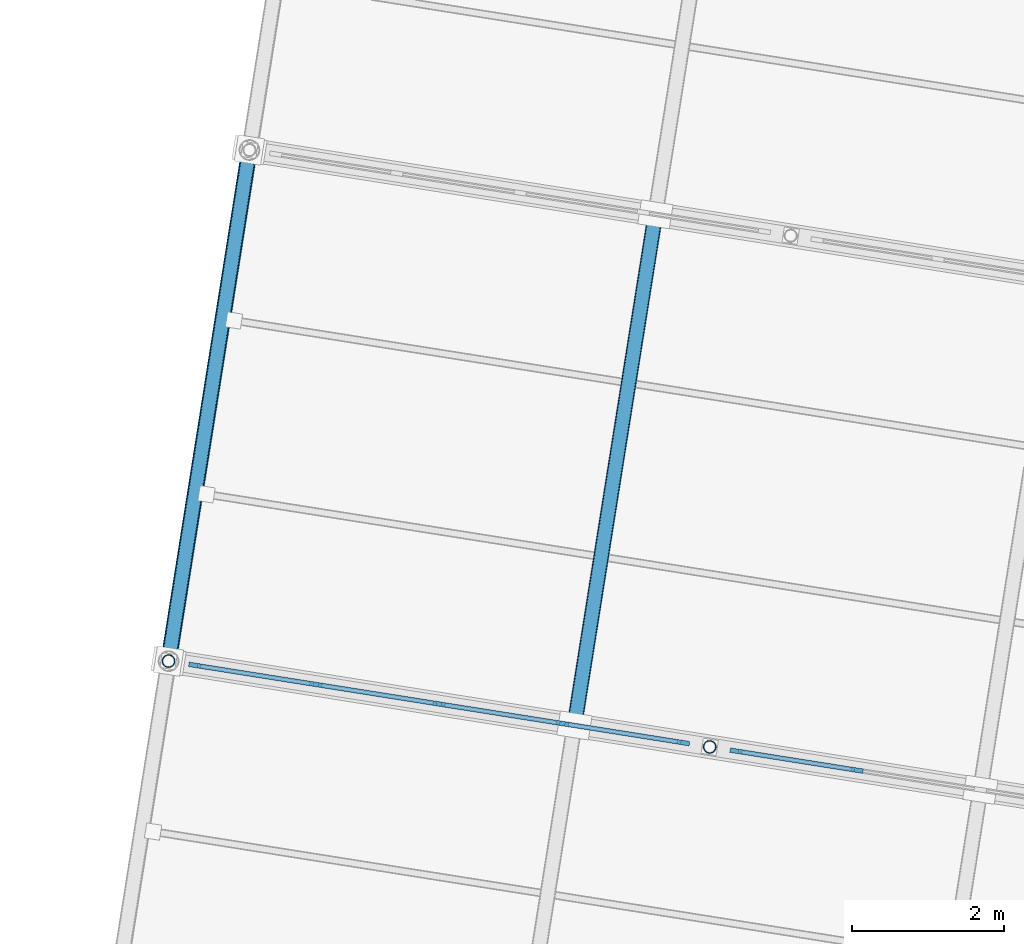
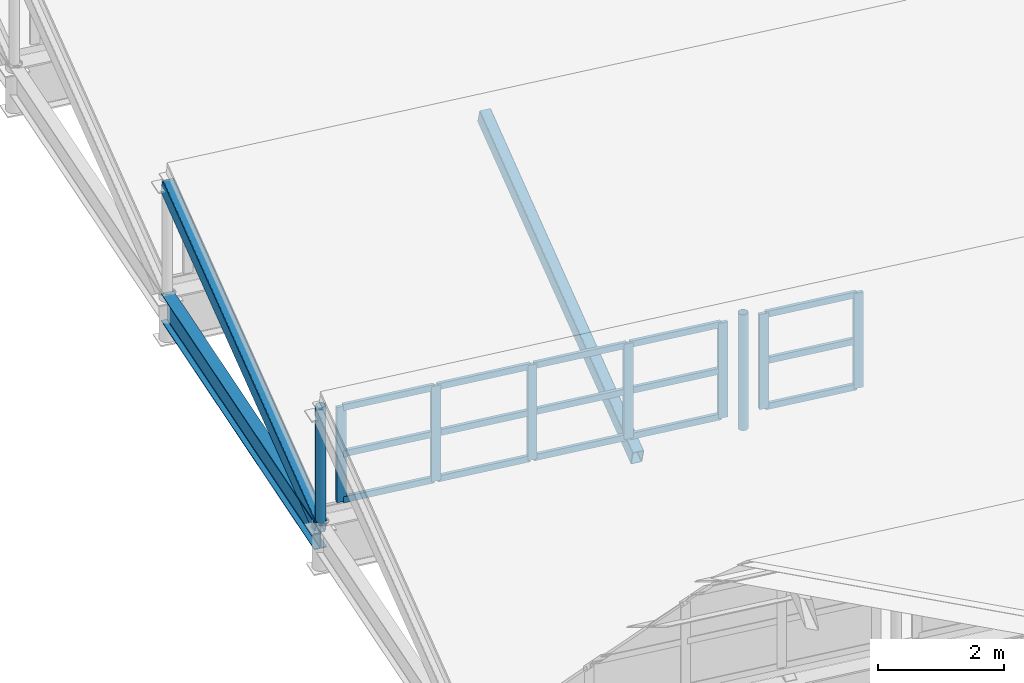
# One storey, part 37 of 65: 26 members, 1 beam, 2 elements without a shape of their own.
"""IFC4 building model written with IfcOpenShell, lengths in metres."""

from ifc_helpers import new_model, si_unit, direction, frame, origin, origin_2d, place, context, subcontext, project, spatial, rectangle, hollow_rectangle, hollow_circle, i_section, extrude, material, material_profile, profile_set, type_object, element, aggregate, save


model = new_model("IFC4")

# Units and contexts
model_context = context("Model", 3, precision=1e-05, world=origin(), true_north=direction((0.0, 1.0)))
body_context = subcontext(model_context, "Body", "Model", "MODEL_VIEW")
ifc_project = project(units=[si_unit("LENGTHUNIT", "METRE"), si_unit("AREAUNIT", "SQUARE_METRE"), si_unit("VOLUMEUNIT", "CUBIC_METRE"), si_unit("PLANEANGLEUNIT", "RADIAN"), si_unit("MASSUNIT", "GRAM", prefix="KILO")], contexts=[model_context])

# Site, building, storey
site_placement = place(None, origin())
site = spatial("IfcSite", under=ifc_project, at=site_placement, CompositionType="ELEMENT")
building_placement = place(site_placement, origin())
building = spatial("IfcBuilding", under=site, at=building_placement, Name="Cinderway Yard Community Centre", CompositionType="ELEMENT")
storey_placement = place(building_placement, frame((0.0, 0.0, 24.300048828125)))
storey = spatial("IfcBuildingStorey", under=building, at=storey_placement, Name="RF", CompositionType="ELEMENT", Elevation=24.300048828125)

# Curtain wall, members
ifc_material_1 = material(Name="Aluminium 6063-T6", Category="aluminium")
curtain_wall_type = type_object("IfcCurtainWallType", Name="ENV-CW-TYPE-23", PredefinedType="USERDEFINED", material=ifc_material_1)
curtain_wall_1_placement = place(storey_placement, origin())
curtain_wall_1 = element("IfcCurtainWall", 1, at=curtain_wall_1_placement, inside=storey, type_object=curtain_wall_type, Name="Sawtooth North-Light Clerestory ENV-CW-RF-ST-0075", ObjectType="GLAZED CURTAIN WALL", PredefinedType="USERDEFINED")
ifc_material_profile_1 = material_profile(ifc_material_1, rectangle(XDim=0.06005859375, YDim=0.159912109375, at=origin_2d()), Name="Aluminium 6063-T6")
ifc_profile_set_1 = profile_set([ifc_material_profile_1], Name="Aluminium 6063-T6")
member_type_1 = type_object("IfcMemberType", Name="ENV-CW-MULL-150", PredefinedType="MULLION", material=ifc_profile_set_1)
member_1_placement = place(storey_placement, frame((120.4736328125, 51.37841796875, -10.199951171875), z_axis=(0.0, 0.0, 1.0), x_axis=(0.156557479266, 0.987668849203, 0.0)))
member_1 = element("IfcMember", 2, at=member_1_placement, type_object=member_type_1, Name="CW-23 mullion 1", PredefinedType="MULLION", context=body_context, shape_type="SweptSolid", body=[
    extrude(rectangle(XDim=0.06005859375, YDim=0.159912109375, at=origin_2d()), origin(), (0.0, 0.0, 1.0), 1.849853515625),
])
member_2_placement = place(storey_placement, frame((122.063720703125, 51.126220703125, -10.199951171875), z_axis=(0.0, 0.0, 1.0), x_axis=(0.156557479266, 0.987668849203, 0.0)))
member_2 = element("IfcMember", 3, at=member_2_placement, type_object=member_type_1, Name="CW-23 mullion 2", PredefinedType="MULLION", context=body_context, shape_type="SweptSolid", body=[
    extrude(rectangle(XDim=0.06005859375, YDim=0.159912109375, at=origin_2d()), origin(), (0.0, 0.0, 1.0), 1.849853515625),
])
member_3_placement = place(storey_placement, frame((123.68359375, 50.869384765625, -10.199951171875), z_axis=(0.0, 0.0, 1.0), x_axis=(0.156557479266, 0.987668849203, 0.0)))
member_3 = element("IfcMember", 4, at=member_3_placement, type_object=member_type_1, Name="CW-23 mullion 3", PredefinedType="MULLION", context=body_context, shape_type="SweptSolid", body=[
    extrude(rectangle(XDim=0.06005859375, YDim=0.159912109375, at=origin_2d()), origin(), (0.0, 0.0, 1.0), 1.849853515625),
])
member_4_placement = place(storey_placement, frame((125.30322265625, 50.61279296875, -10.199951171875), z_axis=(0.0, 0.0, 1.0), x_axis=(0.156557479266, 0.987668849203, 0.0)))
member_4 = element("IfcMember", 5, at=member_4_placement, type_object=member_type_1, Name="CW-23 mullion 4", PredefinedType="MULLION", context=body_context, shape_type="SweptSolid", body=[
    extrude(rectangle(XDim=0.06005859375, YDim=0.159912109375, at=origin_2d()), origin(), (0.0, 0.0, 1.0), 1.849853515625),
])
member_5_placement = place(storey_placement, frame((126.893310546875, 50.360595703125, -10.199951171875), z_axis=(0.0, 0.0, 1.0), x_axis=(0.156557479266, 0.987668849203, 0.0)))
member_5 = element("IfcMember", 6, at=member_5_placement, type_object=member_type_1, Name="CW-23 mullion 5", PredefinedType="MULLION", context=body_context, shape_type="SweptSolid", body=[
    extrude(rectangle(XDim=0.06005859375, YDim=0.159912109375, at=origin_2d()), origin(), (0.0, 0.0, 1.0), 1.849853515625),
])

curtain_wall_2_placement = place(storey_placement, origin())
curtain_wall_2 = element("IfcCurtainWall", 7, at=curtain_wall_2_placement, inside=storey, type_object=curtain_wall_type, Name="Sawtooth North-Light Clerestory ENV-CW-RF-ST-0076", ObjectType="GLAZED CURTAIN WALL", PredefinedType="USERDEFINED")
member_6_placement = place(storey_placement, frame((127.584716796875, 50.251220703125, -10.199951171875), z_axis=(0.0, 0.0, 1.0), x_axis=(0.15640876877, 0.987692410142, 0.0)))
member_6 = element("IfcMember", 8, at=member_6_placement, type_object=member_type_1, Name="CW-23 mullion 1", PredefinedType="MULLION", context=body_context, shape_type="SweptSolid", body=[
    extrude(rectangle(XDim=0.06005859375, YDim=0.159912109375, at=origin_2d()), origin(), (0.0, 0.0, 1.0), 1.849853515625),
])
member_7_placement = place(storey_placement, frame((129.1748046875, 49.99951171875, -10.199951171875), z_axis=(0.0, 0.0, 1.0), x_axis=(0.15640876877, 0.987692410142, 0.0)))
member_7 = element("IfcMember", 9, at=member_7_placement, type_object=member_type_1, Name="CW-23 mullion 2", PredefinedType="MULLION", context=body_context, shape_type="SweptSolid", body=[
    extrude(rectangle(XDim=0.06005859375, YDim=0.159912109375, at=origin_2d()), origin(), (0.0, 0.0, 1.0), 1.849853515625),
])

# Member
ifc_material_profile_2 = material_profile(ifc_material_1, rectangle(XDim=0.06005859375, YDim=0.1201171875, at=origin_2d()), Name="Aluminium 6063-T6")
ifc_profile_set_2 = profile_set([ifc_material_profile_2], Name="Aluminium 6063-T6")
member_type_2 = type_object("IfcMemberType", Name="ENV-CW-TRAN-110", PredefinedType="USERDEFINED", material=ifc_profile_set_2)
member_8_placement = place(storey_placement, frame((120.503173828125, 51.37353515625, -10.170166015625), z_axis=(0.987669567129, -0.156552950044, 0.0), x_axis=(0.156552950044, 0.987669567129, 0.0)))
member_8 = element("IfcMember", 10, at=member_8_placement, type_object=member_type_2, Name="CW-23 transom 1.1", ObjectType="TRANSOM", PredefinedType="USERDEFINED", context=body_context, shape_type="SweptSolid", body=[
    extrude(rectangle(XDim=0.06005859375, YDim=0.1201171875, at=origin_2d()), origin(), (0.0, 0.0, 1.0), 1.550048828125),
])

member_9_placement = place(storey_placement, frame((120.503173828125, 51.37353515625, -9.280029296875), z_axis=(0.987669567129, -0.156552950044, 0.0), x_axis=(0.156552950044, 0.987669567129, 0.0)))
member_9 = element("IfcMember", 11, at=member_9_placement, type_object=member_type_2, Name="CW-23 transom 1.2", ObjectType="TRANSOM", PredefinedType="USERDEFINED", context=body_context, shape_type="SweptSolid", body=[
    extrude(rectangle(XDim=0.06005859375, YDim=0.1201171875, at=origin_2d()), origin(), (0.0, 0.0, 1.0), 1.550048828125),
])

member_10_placement = place(storey_placement, frame((120.503173828125, 51.37353515625, -8.380126953125), z_axis=(0.987669567129, -0.156552950044, 0.0), x_axis=(0.156552950044, 0.987669567129, 0.0)))
member_10 = element("IfcMember", 12, at=member_10_placement, type_object=member_type_2, Name="CW-23 transom 1.3", ObjectType="TRANSOM", PredefinedType="USERDEFINED", context=body_context, shape_type="SweptSolid", body=[
    extrude(rectangle(XDim=0.06005859375, YDim=0.1201171875, at=origin_2d()), origin(), (0.0, 0.0, 1.0), 1.550048828125),
])

member_11_placement = place(storey_placement, frame((122.09326171875, 51.12158203125, -10.170166015625), z_axis=(0.98767385289, -0.156525909414, 0.0), x_axis=(0.156525909414, 0.98767385289, 0.0)))
member_11 = element("IfcMember", 13, at=member_11_placement, type_object=member_type_2, Name="CW-23 transom 2.1", ObjectType="TRANSOM", PredefinedType="USERDEFINED", context=body_context, shape_type="SweptSolid", body=[
    extrude(rectangle(XDim=0.06005859375, YDim=0.1201171875, at=origin_2d()), origin(), (0.0, 0.0, 1.0), 1.580078125),
])

member_12_placement = place(storey_placement, frame((122.09326171875, 51.12158203125, -9.280029296875), z_axis=(0.98767385289, -0.156525909414, 0.0), x_axis=(0.156525909414, 0.98767385289, 0.0)))
member_12 = element("IfcMember", 14, at=member_12_placement, type_object=member_type_2, Name="CW-23 transom 2.2", ObjectType="TRANSOM", PredefinedType="USERDEFINED", context=body_context, shape_type="SweptSolid", body=[
    extrude(rectangle(XDim=0.06005859375, YDim=0.1201171875, at=origin_2d()), origin(), (0.0, 0.0, 1.0), 1.580078125),
])

member_13_placement = place(storey_placement, frame((122.09326171875, 51.12158203125, -8.380126953125), z_axis=(0.98767385289, -0.156525909414, 0.0), x_axis=(0.156525909414, 0.98767385289, 0.0)))
member_13 = element("IfcMember", 15, at=member_13_placement, type_object=member_type_2, Name="CW-23 transom 2.3", ObjectType="TRANSOM", PredefinedType="USERDEFINED", context=body_context, shape_type="SweptSolid", body=[
    extrude(rectangle(XDim=0.06005859375, YDim=0.1201171875, at=origin_2d()), origin(), (0.0, 0.0, 1.0), 1.580078125),
])

member_14_placement = place(storey_placement, frame((123.713134765625, 50.86474609375, -10.170166015625), z_axis=(0.98767385289, -0.156525909414, 0.0), x_axis=(0.156525909414, 0.98767385289, 0.0)))
member_14 = element("IfcMember", 16, at=member_14_placement, type_object=member_type_2, Name="CW-23 transom 3.1", ObjectType="TRANSOM", PredefinedType="USERDEFINED", context=body_context, shape_type="SweptSolid", body=[
    extrude(rectangle(XDim=0.06005859375, YDim=0.1201171875, at=origin_2d()), origin(), (0.0, 0.0, 1.0), 1.580078125),
])

member_15_placement = place(storey_placement, frame((123.713134765625, 50.86474609375, -9.280029296875), z_axis=(0.98767385289, -0.156525909414, 0.0), x_axis=(0.156525909414, 0.98767385289, 0.0)))
member_15 = element("IfcMember", 17, at=member_15_placement, type_object=member_type_2, Name="CW-23 transom 3.2", ObjectType="TRANSOM", PredefinedType="USERDEFINED", context=body_context, shape_type="SweptSolid", body=[
    extrude(rectangle(XDim=0.06005859375, YDim=0.1201171875, at=origin_2d()), origin(), (0.0, 0.0, 1.0), 1.580078125),
])

member_16_placement = place(storey_placement, frame((123.713134765625, 50.86474609375, -8.380126953125), z_axis=(0.98767385289, -0.156525909414, 0.0), x_axis=(0.156525909414, 0.98767385289, 0.0)))
member_16 = element("IfcMember", 18, at=member_16_placement, type_object=member_type_2, Name="CW-23 transom 3.3", ObjectType="TRANSOM", PredefinedType="USERDEFINED", context=body_context, shape_type="SweptSolid", body=[
    extrude(rectangle(XDim=0.06005859375, YDim=0.1201171875, at=origin_2d()), origin(), (0.0, 0.0, 1.0), 1.580078125),
])

member_17_placement = place(storey_placement, frame((125.332763671875, 50.608154296875, -10.170166015625), z_axis=(0.987669567129, -0.156552950044, 0.0), x_axis=(0.156552950044, 0.987669567129, 0.0)))
member_17 = element("IfcMember", 19, at=member_17_placement, type_object=member_type_2, Name="CW-23 transom 4.1", ObjectType="TRANSOM", PredefinedType="USERDEFINED", context=body_context, shape_type="SweptSolid", body=[
    extrude(rectangle(XDim=0.06005859375, YDim=0.1201171875, at=origin_2d()), origin(), (0.0, 0.0, 1.0), 1.550048828125),
])

member_18_placement = place(storey_placement, frame((125.332763671875, 50.608154296875, -9.280029296875), z_axis=(0.987669567129, -0.156552950044, 0.0), x_axis=(0.156552950044, 0.987669567129, 0.0)))
member_18 = element("IfcMember", 20, at=member_18_placement, type_object=member_type_2, Name="CW-23 transom 4.2", ObjectType="TRANSOM", PredefinedType="USERDEFINED", context=body_context, shape_type="SweptSolid", body=[
    extrude(rectangle(XDim=0.06005859375, YDim=0.1201171875, at=origin_2d()), origin(), (0.0, 0.0, 1.0), 1.550048828125),
])

member_19_placement = place(storey_placement, frame((125.332763671875, 50.608154296875, -8.380126953125), z_axis=(0.987669567129, -0.156552950044, 0.0), x_axis=(0.156552950044, 0.987669567129, 0.0)))
member_19 = element("IfcMember", 21, at=member_19_placement, type_object=member_type_2, Name="CW-23 transom 4.3", ObjectType="TRANSOM", PredefinedType="USERDEFINED", context=body_context, shape_type="SweptSolid", body=[
    extrude(rectangle(XDim=0.06005859375, YDim=0.1201171875, at=origin_2d()), origin(), (0.0, 0.0, 1.0), 1.550048828125),
])

aggregate(curtain_wall_1, [member_1, member_2, member_3, member_4, member_5, member_8, member_9, member_10, member_11, member_12, member_13, member_14, member_15, member_16, member_17, member_18, member_19])

member_20_placement = place(storey_placement, frame((127.6142578125, 50.24658203125, -10.170166015625), z_axis=(0.987690055006, -0.15642364029, 0.0), x_axis=(0.15642364029, 0.987690055006, 0.0)))
member_20 = element("IfcMember", 22, at=member_20_placement, type_object=member_type_2, Name="CW-23 transom 1.1", ObjectType="TRANSOM", PredefinedType="USERDEFINED", context=body_context, shape_type="SweptSolid", body=[
    extrude(rectangle(XDim=0.06005859375, YDim=0.1201171875, at=origin_2d()), origin(), (0.0, 0.0, 1.0), 1.5498046875),
])

member_21_placement = place(storey_placement, frame((127.6142578125, 50.24658203125, -9.280029296875), z_axis=(0.987690055006, -0.15642364029, 0.0), x_axis=(0.15642364029, 0.987690055006, 0.0)))
member_21 = element("IfcMember", 23, at=member_21_placement, type_object=member_type_2, Name="CW-23 transom 1.2", ObjectType="TRANSOM", PredefinedType="USERDEFINED", context=body_context, shape_type="SweptSolid", body=[
    extrude(rectangle(XDim=0.06005859375, YDim=0.1201171875, at=origin_2d()), origin(), (0.0, 0.0, 1.0), 1.5498046875),
])

member_22_placement = place(storey_placement, frame((127.6142578125, 50.24658203125, -8.380126953125), z_axis=(0.987690055006, -0.15642364029, 0.0), x_axis=(0.15642364029, 0.987690055006, 0.0)))
member_22 = element("IfcMember", 24, at=member_22_placement, type_object=member_type_2, Name="CW-23 transom 1.3", ObjectType="TRANSOM", PredefinedType="USERDEFINED", context=body_context, shape_type="SweptSolid", body=[
    extrude(rectangle(XDim=0.06005859375, YDim=0.1201171875, at=origin_2d()), origin(), (0.0, 0.0, 1.0), 1.5498046875),
])

aggregate(curtain_wall_2, [member_6, member_7, member_20, member_21, member_22])

# Beam
ifc_material_2 = material(Name="Steel S355", Category="steel")
ifc_material_profile_3 = material_profile(ifc_material_2, i_section(OverallWidth=0.2109375, OverallDepth=0.5390625, WebThickness=0.010986328125, FlangeThickness=0.017333984375, FilletRadius=0.013916015625, at=origin_2d()), Name="Steel S355")
ifc_profile_set_3 = profile_set([ifc_material_profile_3], Name="Steel S355")
beam_type = type_object("IfcBeamType", Name="STR-BM-W530X109", PredefinedType="BEAM", material=ifc_profile_set_3)
beam_placement = place(storey_placement, frame((120.1279296875, 51.43310546875, -10.77001953125), z_axis=(0.156335015047, 0.987704086794, 0.0), x_axis=(-0.987704086794, 0.156335015047, 0.0)))
element("IfcBeam", 25, at=beam_placement, inside=storey, type_object=beam_type, Name="Sports eave beam W STR-BM-RF-SB06-1016", PredefinedType="BEAM", context=body_context, shape_type="SweptSolid", body=[
    extrude(i_section(OverallWidth=0.2109375, OverallDepth=0.5390625, WebThickness=0.010986328125, FlangeThickness=0.017333984375, FilletRadius=0.013916015625, at=origin_2d()), origin(), (0.0, 0.0, 1.0), 6.79931640625),
])

# Members
ifc_material_profile_4 = material_profile(ifc_material_2, hollow_rectangle(XDim=0.199951171875, YDim=0.300048828125, WallThickness=0.012451171875, InnerFilletRadius=0.012451171875, OuterFilletRadius=0.02490234375, at=origin_2d()), Name="Steel S355")
ifc_profile_set_4 = profile_set([ifc_material_profile_4], Name="Steel S355")
member_type_3 = type_object("IfcMemberType", Name="STR-MEM-RAFTER-300", PredefinedType="RAFTER", material=ifc_profile_set_4)
member_23_placement = place(storey_placement, frame((120.1279296875, 51.43310546875, -10.6201171875), z_axis=(0.148743215018, 0.939740091575, 0.307837645964), x_axis=(-0.987704086794, 0.156335015047, 0.0)))
element("IfcMember", 26, at=member_23_placement, inside=storey, type_object=member_type_3, Name="Sawtooth raked rafter B3-000", PredefinedType="RAFTER", context=body_context, shape_type="SweptSolid", body=[
    extrude(hollow_rectangle(XDim=0.199951171875, YDim=0.300048828125, WallThickness=0.012451171875, InnerFilletRadius=0.012451171875, OuterFilletRadius=0.02490234375, at=origin_2d()), origin(), (0.0, 0.0, 1.0), 7.146484375),
])
member_24_placement = place(storey_placement, frame((125.4609375, 50.587890625, -10.6201171875), z_axis=(0.14887205817, 0.939724976642, 0.307821504399), x_axis=(-0.987682779013, 0.156469575446, 0.0)))
element("IfcMember", 27, at=member_24_placement, inside=storey, type_object=member_type_3, Name="Sawtooth raked rafter B3-054", PredefinedType="RAFTER", context=body_context, shape_type="SweptSolid", body=[
    extrude(hollow_rectangle(XDim=0.199951171875, YDim=0.300048828125, WallThickness=0.012451171875, InnerFilletRadius=0.012451171875, OuterFilletRadius=0.02490234375, at=origin_2d()), origin(), (0.0, 0.0, 1.0), 7.146728515625),
])
ifc_material_profile_5 = material_profile(ifc_material_2, hollow_circle(Radius=0.084228515625, WallThickness=0.008056640625, at=origin_2d()), Name="Steel S355")
ifc_profile_set_5 = profile_set([ifc_material_profile_5], Name="Steel S355")
member_type_4 = type_object("IfcMemberType", Name="STR-MEM-STRUT-CHS168", PredefinedType="STRUT", material=ifc_profile_set_5)
for number, where, z_axis, x_axis, name in (
    (28, (120.1279296875, 51.43310546875, -10.5), (0.0, 0.0, 1.0), (1.0, 0.0, 0.0), "Sawtooth kingpost B2-000"),
    (29, (127.239013671875, 50.305908203125, -10.5), (0.0, 0.0, 1.0), (1.0, 0.0, 0.0), "Sawtooth kingpost B2-072"),
):
    element("IfcMember", number, at=place(storey_placement, frame(where, z_axis=z_axis, x_axis=x_axis)), inside=storey, type_object=member_type_4, Name=name, PredefinedType="STRUT", context=body_context, shape_type="SweptSolid", body=[
        extrude(hollow_circle(Radius=0.084228515625, WallThickness=0.008056640625, at=origin_2d()), origin(), (0.0, 0.0, 1.0), 2.25),
    ])

save(model, "model.ifc")
